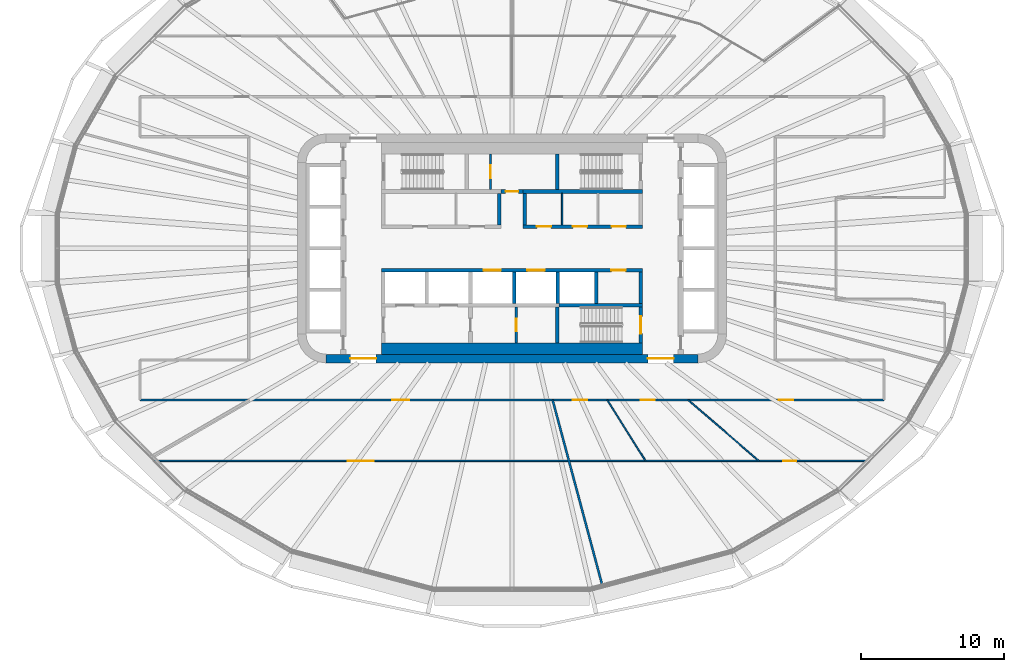
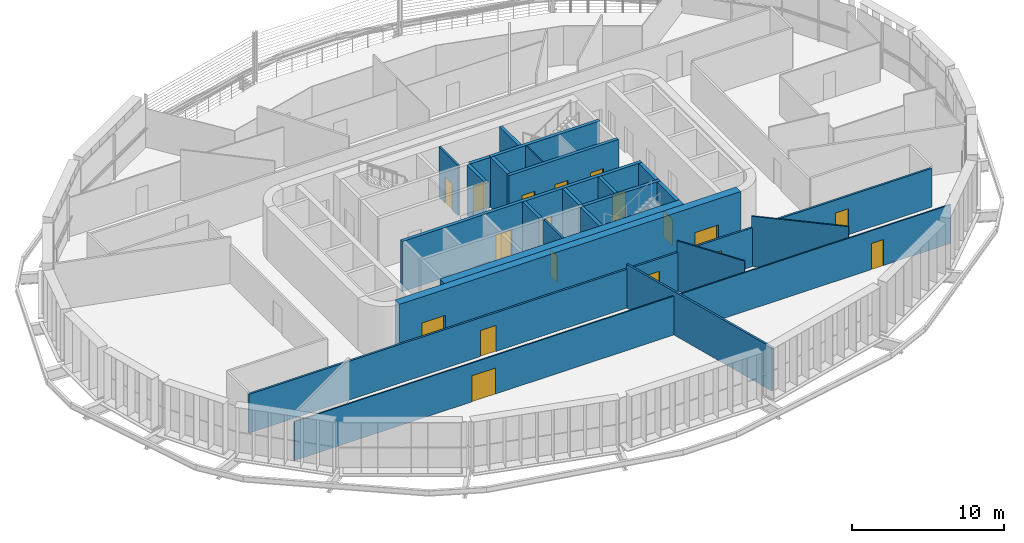
# One storey, part 14 of 24: 24 walls, 18 doors, 18 openings.
"""IFC4 building model written with IfcOpenShell, lengths in metres."""

from ifc_helpers import new_model, si_unit, direction, frame, frame_2d, origin, place, context, subcontext, project, spatial, rectangle, extrude, material, layer, layer_set, type_object, element, fill, save


model = new_model("IFC4")

# Units and contexts
model_context = context("Model", 3, precision=1e-05, world=origin(), true_north=direction((0.0, 1.0)))
body_context = subcontext(model_context, "Body", "Model", "MODEL_VIEW")
ifc_project = project(units=[si_unit("LENGTHUNIT", "METRE"), si_unit("AREAUNIT", "SQUARE_METRE"), si_unit("VOLUMEUNIT", "CUBIC_METRE"), si_unit("PLANEANGLEUNIT", "RADIAN"), si_unit("MASSUNIT", "GRAM", prefix="KILO")], contexts=[model_context])

# Site, building, storey
site_placement = place(None, origin())
site = spatial("IfcSite", under=ifc_project, at=site_placement, CompositionType="ELEMENT")
building_placement = place(site_placement, origin())
building = spatial("IfcBuilding", under=site, at=building_placement, Name="Sahrelin Media Tower", CompositionType="ELEMENT")
storey_placement = place(building_placement, frame((0.0, 0.0, 118.800048828125)))
storey = spatial("IfcBuildingStorey", under=building, at=storey_placement, Name="L23", CompositionType="ELEMENT", Elevation=118.800048828125)

# Wall, openings, doors
ifc_material_1 = material(Name="Concrete C60/75", Category="concrete")
ifc_layer_1 = layer(ifc_material_1, 0.60009765625)
ifc_layer_set_1 = layer_set([ifc_layer_1], Name="Core wall 600")
wall_type_1 = type_object("IfcWallType", Name="Core wall 600", PredefinedType="SHEAR", material=ifc_layer_set_1)
wall_1_placement = place(storey_placement, frame((-13.0, -7.699951171875, 0.0), z_axis=(0.0, 0.0, 1.0), x_axis=(1.0, 0.0, 0.0)))
wall_1 = element("IfcWall", 1, at=wall_1_placement, inside=storey, type_object=wall_type_1, Name="Core wall S L23", PredefinedType="SHEAR", context=body_context, shape_type="SweptSolid", body=[
    extrude(rectangle(XDim=26.0, YDim=0.60009765625, at=frame_2d((13.0, 0.0))), origin(), (0.0, 0.0, 1.0), 4.199951171875),
])
opening_1_placement = place(wall_1_placement, frame((1.699951171875, 0.0, 0.0)))
opening_1 = element("IfcOpeningElement", 2, at=opening_1_placement, cuts=wall_1, Name="Opening L23-D21", PredefinedType="OPENING", context=body_context, shape_type="SweptSolid", body=[
    extrude(rectangle(XDim=1.800048828125, YDim=2.10009765625, at=frame_2d((0.89990234375, 1.050048828125))), frame((0.0, 0.300048828125, 0.0), z_axis=(0.0, -1.0, 0.0), x_axis=(1.0, 0.0, 0.0)), (0.0, 0.0, 1.0), 0.60009765625),
])
opening_2_placement = place(wall_1_placement, frame((22.5, 0.0, 0.0)))
opening_2 = element("IfcOpeningElement", 3, at=opening_2_placement, cuts=wall_1, Name="Opening L23-D22", PredefinedType="OPENING", context=body_context, shape_type="SweptSolid", body=[
    extrude(rectangle(XDim=1.800048828125, YDim=2.10009765625, at=frame_2d((0.89990234375, 1.050048828125))), frame((0.0, 0.300048828125, 0.0), z_axis=(0.0, -1.0, 0.0), x_axis=(1.0, 0.0, 0.0)), (0.0, 0.0, 1.0), 0.60009765625),
])
ifc_material_2 = material(Name="Steel fire door leaf", Category="steel")
door_type_1 = type_object("IfcDoorType", Name="Lobby double door 1800 x 2100 EI 60", OperationType="DOUBLE_DOOR_SINGLE_SWING", PredefinedType="DOOR", material=ifc_material_2)
door_1_placement = place(opening_1_placement, origin())
door_1 = element("IfcDoor", 4, at=door_1_placement, inside=storey, type_object=door_type_1, Name="Lobby door", OperationType="DOUBLE_DOOR_SINGLE_SWING", OverallHeight=2.10009765625, OverallWidth=1.800048828125, PredefinedType="DOOR", context=body_context, shape_type="SweptSolid", body=[
    extrude(rectangle(XDim=1.800048828125, YDim=2.10009765625, at=frame_2d((0.89990234375, 1.050048828125))), frame((0.0, 0.02490234375, 0.0), z_axis=(0.0, -1.0, 0.0), x_axis=(1.0, 0.0, 0.0)), (0.0, 0.0, 1.0), 0.050048828125),
])
fill(opening_1, door_1)
door_2_placement = place(opening_2_placement, origin())
door_2 = element("IfcDoor", 5, at=door_2_placement, inside=storey, type_object=door_type_1, Name="Lobby door", OperationType="DOUBLE_DOOR_SINGLE_SWING", OverallHeight=2.10009765625, OverallWidth=1.800048828125, PredefinedType="DOOR", context=body_context, shape_type="SweptSolid", body=[
    extrude(rectangle(XDim=1.800048828125, YDim=2.10009765625, at=frame_2d((0.89990234375, 1.050048828125))), frame((0.0, 0.02490234375, 0.0), z_axis=(0.0, -1.0, 0.0), x_axis=(1.0, 0.0, 0.0)), (0.0, 0.0, 1.0), 0.050048828125),
])
fill(opening_2, door_2)

# Wall, opening, door
ifc_material_3 = material(Name="Fire-rated gypsum board partition")
ifc_layer_2 = layer(ifc_material_3, 0.25)
ifc_layer_set_2 = layer_set([ifc_layer_2], Name="Fire-rated lobby wall 250")
wall_type_2 = type_object("IfcWallType", Name="Fire-rated lobby wall 250", PredefinedType="PARTITIONING", material=ifc_layer_set_2)
wall_2_placement = place(storey_placement, frame((-0.77490234375, 3.97509765625, 0.0), z_axis=(0.0, 0.0, 1.0), x_axis=(1.0, 0.0, 0.0)))
wall_2 = element("IfcWall", 6, at=wall_2_placement, inside=storey, type_object=wall_type_2, Name="Core lobby wall", PredefinedType="PARTITIONING", context=body_context, shape_type="SweptSolid", body=[
    extrude(rectangle(XDim=1.5498046875, YDim=0.25, at=frame_2d((0.77490234375, 0.0))), origin(), (0.0, 0.0, 1.0), 4.050048828125),
])
opening_3_placement = place(wall_2_placement, frame((0.324951171875, 0.0, 0.0)))
opening_3 = element("IfcOpeningElement", 7, at=opening_3_placement, cuts=wall_2, Name="Opening L23-D06", PredefinedType="OPENING", context=body_context, shape_type="SweptSolid", body=[
    extrude(rectangle(XDim=0.89990234375, YDim=2.10009765625, at=frame_2d((0.449951171875, 1.050048828125))), frame((0.0, 0.125, 0.0), z_axis=(0.0, -1.0, 0.0), x_axis=(1.0, 0.0, 0.0)), (0.0, 0.0, 1.0), 0.25),
])
door_type_2 = type_object("IfcDoorType", Name="Riser door 900 x 2100 EI 120", OperationType="NOTDEFINED", PredefinedType="DOOR", material=ifc_material_2)
door_3_placement = place(opening_3_placement, origin())
door_3 = element("IfcDoor", 8, at=door_3_placement, inside=storey, type_object=door_type_2, Name="Core room door", OperationType="SINGLE_SWING_LEFT", OverallHeight=2.10009765625, OverallWidth=0.89990234375, PredefinedType="DOOR", context=body_context, shape_type="SweptSolid", body=[
    extrude(rectangle(XDim=0.89990234375, YDim=2.10009765625, at=frame_2d((0.449951171875, 1.050048828125))), frame((0.0, 0.02490234375, 0.0), z_axis=(0.0, -1.0, 0.0), x_axis=(1.0, 0.0, 0.0)), (0.0, 0.0, 1.0), 0.050048828125),
])
fill(opening_3, door_3)

# Wall, openings, doors
wall_3_placement = place(storey_placement, frame((0.77490234375, 1.52490234375, 0.0), z_axis=(0.0, 0.0, 1.0), x_axis=(1.0, 0.0, 0.0)))
wall_3 = element("IfcWall", 9, at=wall_3_placement, inside=storey, type_object=wall_type_2, Name="Core lobby wall", PredefinedType="PARTITIONING", context=body_context, shape_type="SweptSolid", body=[
    extrude(rectangle(XDim=8.35009765625, YDim=0.25, at=frame_2d((4.175048828125, 0.0))), origin(), (0.0, 0.0, 1.0), 4.050048828125),
])
opening_4_placement = place(wall_3_placement, frame((0.96240234375, 0.0, 0.0)))
opening_4 = element("IfcOpeningElement", 10, at=opening_4_placement, cuts=wall_3, Name="Opening L23-D11", PredefinedType="OPENING", context=body_context, shape_type="SweptSolid", body=[
    extrude(rectangle(XDim=1.0, YDim=2.10009765625, at=frame_2d((0.5, 1.050048828125))), frame((0.0, 0.125, 0.0), z_axis=(0.0, -1.0, 0.0), x_axis=(1.0, 0.0, 0.0)), (0.0, 0.0, 1.0), 0.25),
])
opening_5_placement = place(wall_3_placement, frame((3.47509765625, 0.0, 0.0)))
opening_5 = element("IfcOpeningElement", 11, at=opening_5_placement, cuts=wall_3, Name="Opening L23-D12", PredefinedType="OPENING", context=body_context, shape_type="SweptSolid", body=[
    extrude(rectangle(XDim=1.0, YDim=2.10009765625, at=frame_2d((0.5, 1.050048828125))), frame((0.0, 0.125, 0.0), z_axis=(0.0, -1.0, 0.0), x_axis=(1.0, 0.0, 0.0)), (0.0, 0.0, 1.0), 0.25),
])
opening_6_placement = place(wall_3_placement, frame((6.1875, 0.0, 0.0)))
opening_6 = element("IfcOpeningElement", 12, at=opening_6_placement, cuts=wall_3, Name="Opening L23-D13", PredefinedType="OPENING", context=body_context, shape_type="SweptSolid", body=[
    extrude(rectangle(XDim=1.0, YDim=2.10009765625, at=frame_2d((0.5, 1.050048828125))), frame((0.0, 0.125, 0.0), z_axis=(0.0, -1.0, 0.0), x_axis=(1.0, 0.0, 0.0)), (0.0, 0.0, 1.0), 0.25),
])
door_type_3 = type_object("IfcDoorType", Name="Fire door 1000 x 2100 EI 60", OperationType="NOTDEFINED", PredefinedType="DOOR", material=ifc_material_2)
door_4_placement = place(opening_4_placement, origin())
door_4 = element("IfcDoor", 13, at=door_4_placement, inside=storey, type_object=door_type_3, Name="Core room door", OperationType="SINGLE_SWING_LEFT", OverallHeight=2.10009765625, OverallWidth=1.0, PredefinedType="DOOR", context=body_context, shape_type="SweptSolid", body=[
    extrude(rectangle(XDim=1.0, YDim=2.10009765625, at=frame_2d((0.5, 1.050048828125))), frame((0.0, 0.02490234375, 0.0), z_axis=(0.0, -1.0, 0.0), x_axis=(1.0, 0.0, 0.0)), (0.0, 0.0, 1.0), 0.050048828125),
])
fill(opening_4, door_4)
door_5_placement = place(opening_5_placement, origin())
door_5 = element("IfcDoor", 14, at=door_5_placement, inside=storey, type_object=door_type_3, Name="Core room door", OperationType="SINGLE_SWING_LEFT", OverallHeight=2.10009765625, OverallWidth=1.0, PredefinedType="DOOR", context=body_context, shape_type="SweptSolid", body=[
    extrude(rectangle(XDim=1.0, YDim=2.10009765625, at=frame_2d((0.5, 1.050048828125))), frame((0.0, 0.02490234375, 0.0), z_axis=(0.0, -1.0, 0.0), x_axis=(1.0, 0.0, 0.0)), (0.0, 0.0, 1.0), 0.050048828125),
])
fill(opening_5, door_5)
door_6_placement = place(opening_6_placement, origin())
door_6 = element("IfcDoor", 15, at=door_6_placement, inside=storey, type_object=door_type_3, Name="Core room door", OperationType="SINGLE_SWING_LEFT", OverallHeight=2.10009765625, OverallWidth=1.0, PredefinedType="DOOR", context=body_context, shape_type="SweptSolid", body=[
    extrude(rectangle(XDim=1.0, YDim=2.10009765625, at=frame_2d((0.5, 1.050048828125))), frame((0.0, 0.02490234375, 0.0), z_axis=(0.0, -1.0, 0.0), x_axis=(1.0, 0.0, 0.0)), (0.0, 0.0, 1.0), 0.050048828125),
])
fill(opening_6, door_6)

# Walls
for number, where, z_axis, x_axis, name in (
    (16, (-0.89990234375, 1.64990234375, 0.0), (0.0, 0.0, 1.0), (0.0, 1.0, 0.0), "Core lobby wall"),
    (17, (0.89990234375, 1.64990234375, 0.0), (0.0, 0.0, 1.0), (0.0, 1.0, 0.0), "Core lobby wall"),
):
    element("IfcWall", number, at=place(storey_placement, frame(where, z_axis=z_axis, x_axis=x_axis)), inside=storey, type_object=wall_type_2, Name=name, PredefinedType="PARTITIONING", context=body_context, shape_type="SweptSolid", body=[
        extrude(rectangle(XDim=2.2001953125, YDim=0.25, at=frame_2d((1.10009765625, 0.0))), origin(), (0.0, 0.0, 1.0), 4.050048828125),
    ])
ifc_layer_3 = layer(ifc_material_3, 0.10009765625)
ifc_layer_set_3 = layer_set([ifc_layer_3], Name="Fire-rated partition 100")
wall_type_3 = type_object("IfcWallType", Name="Fire-rated partition 100", PredefinedType="PARTITIONING", material=ifc_layer_set_3)
wall_4_placement = place(storey_placement, frame((3.5, 1.64990234375, 0.0), z_axis=(0.0, 0.0, 1.0), x_axis=(0.0, 1.0, 0.0)))
element("IfcWall", 18, at=wall_4_placement, inside=storey, type_object=wall_type_3, Name="Core room partition", PredefinedType="PARTITIONING", context=body_context, shape_type="SweptSolid", body=[
    extrude(rectangle(XDim=2.2001953125, YDim=0.10009765625, at=frame_2d((1.10009765625, 0.0))), origin(), (0.0, 0.0, 1.0), 4.050048828125),
])

# Wall, opening, door
ifc_layer_4 = layer(ifc_material_3, 0.14990234375)
ifc_layer_set_4 = layer_set([ifc_layer_4], Name="Fire-rated partition 150")
wall_type_4 = type_object("IfcWallType", Name="Fire-rated partition 150", PredefinedType="PARTITIONING", material=ifc_layer_set_4)
wall_5_placement = place(storey_placement, frame((-1.5, 4.10009765625, 0.0), z_axis=(0.0, 0.0, 1.0), x_axis=(0.0, 1.0, 0.0)))
wall_5 = element("IfcWall", 19, at=wall_5_placement, inside=storey, type_object=wall_type_4, Name="Core room fire partition", PredefinedType="PARTITIONING", context=body_context, shape_type="SweptSolid", body=[
    extrude(rectangle(XDim=2.5, YDim=0.14990234375, at=frame_2d((1.25, 0.0))), origin(), (0.0, 0.0, 1.0), 4.050048828125),
])
opening_7_placement = place(wall_5_placement, frame((0.800048828125, 0.0, 0.0)))
opening_7 = element("IfcOpeningElement", 20, at=opening_7_placement, cuts=wall_5, Name="Opening L23-D07", PredefinedType="OPENING", context=body_context, shape_type="SweptSolid", body=[
    extrude(rectangle(XDim=0.89990234375, YDim=2.10009765625, at=frame_2d((0.449951171875, 1.050048828125))), frame((0.0, 0.074951171875, 0.0), z_axis=(0.0, -1.0, 0.0), x_axis=(1.0, 0.0, 0.0)), (0.0, 0.0, 1.0), 0.14990234375),
])
door_type_4 = type_object("IfcDoorType", Name="Fire door 900 x 2100 EI 60", OperationType="NOTDEFINED", PredefinedType="DOOR", material=ifc_material_2)
door_7_placement = place(opening_7_placement, origin())
door_7 = element("IfcDoor", 21, at=door_7_placement, inside=storey, type_object=door_type_4, Name="Core room door", OperationType="SINGLE_SWING_LEFT", OverallHeight=2.10009765625, OverallWidth=0.89990234375, PredefinedType="DOOR", context=body_context, shape_type="SweptSolid", body=[
    extrude(rectangle(XDim=0.89990234375, YDim=2.10009765625, at=frame_2d((0.449951171875, 1.050048828125))), frame((0.0, 0.02490234375, 0.0), z_axis=(0.0, -1.0, 0.0), x_axis=(1.0, 0.0, 0.0)), (0.0, 0.0, 1.0), 0.050048828125),
])
fill(opening_7, door_7)

wall_6_placement = place(storey_placement, frame((0.300048828125, -6.60009765625, 0.0), z_axis=(0.0, 0.0, 1.0), x_axis=(0.0, 1.0, 0.0)))
wall_6 = element("IfcWall", 22, at=wall_6_placement, inside=storey, type_object=wall_type_4, Name="Core room fire partition", PredefinedType="PARTITIONING", context=body_context, shape_type="SweptSolid", body=[
    extrude(rectangle(XDim=2.5, YDim=0.14990234375, at=frame_2d((1.25, 0.0))), origin(), (0.0, 0.0, 1.0), 4.050048828125),
])
opening_8_placement = place(wall_6_placement, frame((0.800048828125, 0.0, 0.0)))
opening_8 = element("IfcOpeningElement", 23, at=opening_8_placement, cuts=wall_6, Name="Opening L23-D08", PredefinedType="OPENING", context=body_context, shape_type="SweptSolid", body=[
    extrude(rectangle(XDim=0.89990234375, YDim=2.10009765625, at=frame_2d((0.449951171875, 1.050048828125))), frame((0.0, 0.074951171875, 0.0), z_axis=(0.0, -1.0, 0.0), x_axis=(1.0, 0.0, 0.0)), (0.0, 0.0, 1.0), 0.14990234375),
])
door_8_placement = place(opening_8_placement, origin())
door_8 = element("IfcDoor", 24, at=door_8_placement, inside=storey, type_object=door_type_4, Name="Core room door", OperationType="SINGLE_SWING_RIGHT", OverallHeight=2.10009765625, OverallWidth=0.89990234375, PredefinedType="DOOR", context=body_context, shape_type="SweptSolid", body=[
    extrude(rectangle(XDim=0.89990234375, YDim=2.10009765625, at=frame_2d((0.449951171875, 1.050048828125))), frame((0.0, 0.02490234375, 0.0), z_axis=(0.0, -1.0, 0.0), x_axis=(1.0, 0.0, 0.0)), (0.0, 0.0, 1.0), 0.050048828125),
])
fill(opening_8, door_8)

# Wall
wall_7_placement = place(storey_placement, frame((2.840087890625, -10.60009765625, 0.0), z_axis=(0.0, 0.0, 1.0), x_axis=(0.258835018107, -0.965921546194, 0.0)))
element("IfcWall", 25, at=wall_7_placement, inside=storey, type_object=wall_type_4, Name="Wall", PredefinedType="PARTITIONING", context=body_context, shape_type="SweptSolid", body=[
    extrude(rectangle(XDim=13.568359375, YDim=0.14990234375, at=frame_2d((6.7841796875, 0.0))), origin(), (0.0, 0.0, 1.0), 3.501708984375),
])

# Wall, openings, doors
wall_8_placement = place(storey_placement, frame((-26.0, -10.60009765625, 0.0), z_axis=(0.0, 0.0, 1.0), x_axis=(1.0, 0.0, 0.0)))
wall_8 = element("IfcWall", 26, at=wall_8_placement, inside=storey, type_object=wall_type_4, Name="Wall", PredefinedType="PARTITIONING", context=body_context, shape_type="SweptSolid", body=[
    extrude(rectangle(XDim=52.0, YDim=0.14990234375, at=frame_2d((26.0, 0.0))), origin(), (0.0, 0.0, 1.0), 3.126953125),
])
opening_9_placement = place(wall_8_placement, frame((17.6201171875, 0.0, 0.0)))
opening_9 = element("IfcOpeningElement", 27, at=opening_9_placement, cuts=wall_8, Name="Opening L23-D23", PredefinedType="OPENING", context=body_context, shape_type="SweptSolid", body=[
    extrude(rectangle(XDim=1.199951171875, YDim=2.10009765625, at=frame_2d((0.60009765625, 1.050048828125))), frame((0.0, 0.074951171875, 0.0), z_axis=(0.0, -1.0, 0.0), x_axis=(1.0, 0.0, 0.0)), (0.0, 0.0, 1.0), 0.14990234375),
])
opening_10_placement = place(wall_8_placement, frame((30.25, 0.0, 0.0)))
opening_10 = element("IfcOpeningElement", 28, at=opening_10_placement, cuts=wall_8, Name="Opening L23-D25", PredefinedType="OPENING", context=body_context, shape_type="SweptSolid", body=[
    extrude(rectangle(XDim=1.0, YDim=2.10009765625, at=frame_2d((0.5, 1.050048828125))), frame((0.0, 0.074951171875, 0.0), z_axis=(0.0, -1.0, 0.0), x_axis=(1.0, 0.0, 0.0)), (0.0, 0.0, 1.0), 0.14990234375),
])
opening_11_placement = place(wall_8_placement, frame((34.988525390625, 0.0, 0.0)))
opening_11 = element("IfcOpeningElement", 29, at=opening_11_placement, cuts=wall_8, Name="Opening L23-D26", PredefinedType="OPENING", context=body_context, shape_type="SweptSolid", body=[
    extrude(rectangle(XDim=1.0, YDim=2.10009765625, at=frame_2d((0.5, 1.050048828125))), frame((0.0, 0.074951171875, 0.0), z_axis=(0.0, -1.0, 0.0), x_axis=(1.0, 0.0, 0.0)), (0.0, 0.0, 1.0), 0.14990234375),
])
opening_12_placement = place(wall_8_placement, frame((44.658447265625, 0.0, 0.0)))
opening_12 = element("IfcOpeningElement", 30, at=opening_12_placement, cuts=wall_8, Name="Opening L23-D27", PredefinedType="OPENING", context=body_context, shape_type="SweptSolid", body=[
    extrude(rectangle(XDim=1.0, YDim=2.10009765625, at=frame_2d((0.5, 1.050048828125))), frame((0.0, 0.074951171875, 0.0), z_axis=(0.0, -1.0, 0.0), x_axis=(1.0, 0.0, 0.0)), (0.0, 0.0, 1.0), 0.14990234375),
])
door_9_placement = place(opening_10_placement, origin())
door_9 = element("IfcDoor", 31, at=door_9_placement, inside=storey, type_object=door_type_3, Name="Fire door", OperationType="SINGLE_SWING_RIGHT", OverallHeight=2.10009765625, OverallWidth=1.0, PredefinedType="DOOR", context=body_context, shape_type="SweptSolid", body=[
    extrude(rectangle(XDim=1.0, YDim=2.10009765625, at=frame_2d((0.5, 1.050048828125))), frame((0.0, 0.02490234375, 0.0), z_axis=(0.0, -1.0, 0.0), x_axis=(1.0, 0.0, 0.0)), (0.0, 0.0, 1.0), 0.050048828125),
])
fill(opening_10, door_9)
door_10_placement = place(opening_11_placement, origin())
door_10 = element("IfcDoor", 32, at=door_10_placement, inside=storey, type_object=door_type_3, Name="Fire door", OperationType="SINGLE_SWING_LEFT", OverallHeight=2.10009765625, OverallWidth=1.0, PredefinedType="DOOR", context=body_context, shape_type="SweptSolid", body=[
    extrude(rectangle(XDim=1.0, YDim=2.10009765625, at=frame_2d((0.5, 1.050048828125))), frame((0.0, 0.02490234375, 0.0), z_axis=(0.0, -1.0, 0.0), x_axis=(1.0, 0.0, 0.0)), (0.0, 0.0, 1.0), 0.050048828125),
])
fill(opening_11, door_10)
door_11_placement = place(opening_12_placement, origin())
door_11 = element("IfcDoor", 33, at=door_11_placement, inside=storey, type_object=door_type_3, Name="Fire door", OperationType="SINGLE_SWING_LEFT", OverallHeight=2.10009765625, OverallWidth=1.0, PredefinedType="DOOR", context=body_context, shape_type="SweptSolid", body=[
    extrude(rectangle(XDim=1.0, YDim=2.10009765625, at=frame_2d((0.5, 1.050048828125))), frame((0.0, 0.02490234375, 0.0), z_axis=(0.0, -1.0, 0.0), x_axis=(1.0, 0.0, 0.0)), (0.0, 0.0, 1.0), 0.050048828125),
])
fill(opening_12, door_11)
door_type_5 = type_object("IfcDoorType", Name="Service double door 1200 x 2100 EI 60", OperationType="DOUBLE_DOOR_SINGLE_SWING", PredefinedType="DOOR", material=ifc_material_2)
door_12_placement = place(opening_9_placement, origin())
door_12 = element("IfcDoor", 34, at=door_12_placement, inside=storey, type_object=door_type_5, Name="Service double door", OperationType="DOUBLE_DOOR_SINGLE_SWING", OverallHeight=2.10009765625, OverallWidth=1.199951171875, PredefinedType="DOOR", context=body_context, shape_type="SweptSolid", body=[
    extrude(rectangle(XDim=1.199951171875, YDim=2.10009765625, at=frame_2d((0.60009765625, 1.050048828125))), frame((0.0, 0.02490234375, 0.0), z_axis=(0.0, -1.0, 0.0), x_axis=(1.0, 0.0, 0.0)), (0.0, 0.0, 1.0), 0.050048828125),
])
fill(opening_9, door_12)

ifc_layer_5 = layer(ifc_material_1, 0.25)
ifc_layer_set_5 = layer_set([ifc_layer_5], Name="Lift shaft wall 250")
wall_type_5 = type_object("IfcWallType", Name="Lift shaft wall 250", PredefinedType="SOLIDWALL", material=ifc_layer_set_5)
wall_9_placement = place(storey_placement, frame((-9.125, -1.52490234375, 0.0), z_axis=(0.0, 0.0, 1.0), x_axis=(1.0, 0.0, 0.0)))
wall_9 = element("IfcWall", 35, at=wall_9_placement, inside=storey, type_object=wall_type_5, Name="Lift shaft wall", PredefinedType="SOLIDWALL", context=body_context, shape_type="SweptSolid", body=[
    extrude(rectangle(XDim=18.25, YDim=0.25, at=frame_2d((9.125, 0.0))), origin(), (0.0, 0.0, 1.0), 4.050048828125),
])
opening_13_placement = place(wall_9_placement, frame((7.14990234375, 0.0, 0.0)))
opening_13 = element("IfcOpeningElement", 36, at=opening_13_placement, cuts=wall_9, Name="Opening L23-LD-SV1", PredefinedType="OPENING", context=body_context, shape_type="SweptSolid", body=[
    extrude(rectangle(XDim=1.199951171875, YDim=2.10009765625, at=frame_2d((0.60009765625, 1.050048828125))), frame((0.0, 0.125, 0.0), z_axis=(0.0, -1.0, 0.0), x_axis=(1.0, 0.0, 0.0)), (0.0, 0.0, 1.0), 0.25),
])
opening_14_placement = place(wall_9_placement, frame((10.199951171875, 0.0, 0.0)))
opening_14 = element("IfcOpeningElement", 37, at=opening_14_placement, cuts=wall_9, Name="Opening L23-LD-SV2", PredefinedType="OPENING", context=body_context, shape_type="SweptSolid", body=[
    extrude(rectangle(XDim=1.199951171875, YDim=2.10009765625, at=frame_2d((0.60009765625, 1.050048828125))), frame((0.0, 0.125, 0.0), z_axis=(0.0, -1.0, 0.0), x_axis=(1.0, 0.0, 0.0)), (0.0, 0.0, 1.0), 0.25),
])
opening_15_placement = place(wall_9_placement, frame((16.074951171875, 0.0, 0.0)))
opening_15 = element("IfcOpeningElement", 38, at=opening_15_placement, cuts=wall_9, Name="Opening L23-D14", PredefinedType="OPENING", context=body_context, shape_type="SweptSolid", body=[
    extrude(rectangle(XDim=1.0, YDim=2.10009765625, at=frame_2d((0.5, 1.050048828125))), frame((0.0, 0.125, 0.0), z_axis=(0.0, -1.0, 0.0), x_axis=(1.0, 0.0, 0.0)), (0.0, 0.0, 1.0), 0.25),
])
door_13_placement = place(opening_15_placement, origin())
door_13 = element("IfcDoor", 39, at=door_13_placement, inside=storey, type_object=door_type_3, Name="Core room door", OperationType="SINGLE_SWING_RIGHT", OverallHeight=2.10009765625, OverallWidth=1.0, PredefinedType="DOOR", context=body_context, shape_type="SweptSolid", body=[
    extrude(rectangle(XDim=1.0, YDim=2.10009765625, at=frame_2d((0.5, 1.050048828125))), frame((0.0, 0.02490234375, 0.0), z_axis=(0.0, -1.0, 0.0), x_axis=(1.0, 0.0, 0.0)), (0.0, 0.0, 1.0), 0.050048828125),
])
fill(opening_15, door_13)
ifc_material_4 = material(Name="Stainless steel", Category="steel")
door_type_6 = type_object("IfcDoorType", Name="Lift landing door 1200 x 2100 EI 120", OperationType="DOUBLE_DOOR_SLIDING", PredefinedType="DOOR", material=ifc_material_4)
door_14_placement = place(opening_13_placement, origin())
door_14 = element("IfcDoor", 40, at=door_14_placement, inside=storey, type_object=door_type_6, Name="Lift landing door SV1", OperationType="DOUBLE_DOOR_SLIDING", OverallHeight=2.10009765625, OverallWidth=1.199951171875, PredefinedType="DOOR", context=body_context, shape_type="SweptSolid", body=[
    extrude(rectangle(XDim=1.199951171875, YDim=2.10009765625, at=frame_2d((0.60009765625, 1.050048828125))), frame((0.0, 0.02490234375, 0.0), z_axis=(0.0, -1.0, 0.0), x_axis=(1.0, 0.0, 0.0)), (0.0, 0.0, 1.0), 0.050048828125),
])
fill(opening_13, door_14)
door_15_placement = place(opening_14_placement, origin())
door_15 = element("IfcDoor", 41, at=door_15_placement, inside=storey, type_object=door_type_6, Name="Lift landing door SV2", OperationType="DOUBLE_DOOR_SLIDING", OverallHeight=2.10009765625, OverallWidth=1.199951171875, PredefinedType="DOOR", context=body_context, shape_type="SweptSolid", body=[
    extrude(rectangle(XDim=1.199951171875, YDim=2.10009765625, at=frame_2d((0.60009765625, 1.050048828125))), frame((0.0, 0.02490234375, 0.0), z_axis=(0.0, -1.0, 0.0), x_axis=(1.0, 0.0, 0.0)), (0.0, 0.0, 1.0), 0.050048828125),
])
fill(opening_14, door_15)

# Walls
wall_10_placement = place(storey_placement, frame((3.27490234375, -3.97509765625, 0.0), z_axis=(0.0, 0.0, 1.0), x_axis=(1.0, 0.0, 0.0)))
element("IfcWall", 42, at=wall_10_placement, inside=storey, type_object=wall_type_5, Name="Lift shaft wall", PredefinedType="SOLIDWALL", context=body_context, shape_type="SweptSolid", body=[
    extrude(rectangle(XDim=5.85009765625, YDim=0.25, at=frame_2d((2.925048828125, 0.0))), origin(), (0.0, 0.0, 1.0), 4.050048828125),
])
for number, where, z_axis, x_axis, name in (
    (43, (0.14990234375, -3.85009765625, 0.0), (0.0, 0.0, 1.0), (0.0, 1.0, 0.0), "Lift shaft wall"),
    (44, (3.199951171875, -3.85009765625, 0.0), (0.0, 0.0, 1.0), (0.0, 1.0, 0.0), "Lift shaft wall"),
    (45, (5.89990234375, -3.85009765625, 0.0), (0.0, 0.0, 1.0), (0.0, 1.0, 0.0), "Lift shaft wall"),
    (46, (9.0, -3.85009765625, 0.0), (0.0, 0.0, 1.0), (0.0, 1.0, 0.0), "Lift shaft wall"),
):
    element("IfcWall", number, at=place(storey_placement, frame(where, z_axis=z_axis, x_axis=x_axis)), inside=storey, type_object=wall_type_5, Name=name, PredefinedType="SOLIDWALL", context=body_context, shape_type="SweptSolid", body=[
        extrude(rectangle(XDim=2.2001953125, YDim=0.25, at=frame_2d((1.10009765625, 0.0))), origin(), (0.0, 0.0, 1.0), 4.050048828125),
    ])
ifc_material_5 = material(Name="Gypsum board partition")
ifc_layer_6 = layer(ifc_material_5, 0.10009765625)
ifc_layer_set_6 = layer_set([ifc_layer_6], Name="Partition 100")
wall_type_6 = type_object("IfcWallType", Name="Partition 100", PredefinedType="PARTITIONING", material=ifc_layer_set_6)
wall_11_placement = place(storey_placement, frame((6.659912109375, -10.60009765625, 0.0), z_axis=(0.0, 0.0, 1.0), x_axis=(0.532130705972, -0.846662218221, 0.0)))
element("IfcWall", 47, at=wall_11_placement, inside=storey, type_object=wall_type_6, Name="Wall", PredefinedType="PARTITIONING", context=body_context, shape_type="SweptSolid", body=[
    extrude(rectangle(XDim=5.019775390625, YDim=0.10009765625, at=frame_2d((2.509765625, 0.0))), origin(), (0.0, 0.0, 1.0), 4.050048828125),
])
wall_12_placement = place(storey_placement, frame((12.31689453125, -10.60009765625, 0.0), z_axis=(0.0, 0.0, 1.0), x_axis=(0.758012166178, -0.652240412675, 0.0)))
element("IfcWall", 48, at=wall_12_placement, inside=storey, type_object=wall_type_6, Name="Wall", PredefinedType="PARTITIONING", context=body_context, shape_type="SweptSolid", body=[
    extrude(rectangle(XDim=6.51611328125, YDim=0.10009765625, at=frame_2d((3.258056640625, 0.0))), origin(), (0.0, 0.0, 1.0), 4.050048828125),
])

# Wall, openings, doors
wall_13_placement = place(storey_placement, frame((-25.012939453125, -14.85009765625, 0.0), z_axis=(0.0, 0.0, 1.0), x_axis=(1.0, 0.0, 0.0)))
wall_13 = element("IfcWall", 49, at=wall_13_placement, inside=storey, type_object=wall_type_6, Name="Wall", PredefinedType="PARTITIONING", context=body_context, shape_type="SweptSolid", body=[
    extrude(rectangle(XDim=50.02587890625, YDim=0.10009765625, at=frame_2d((25.012939453125, 0.0))), origin(), (0.0, 0.0, 1.0), 3.126953125),
])
opening_16_placement = place(wall_13_placement, frame((13.5458984375, 0.0, 0.0)))
opening_16 = element("IfcOpeningElement", 50, at=opening_16_placement, cuts=wall_13, Name="Opening L23-D24", PredefinedType="OPENING", context=body_context, shape_type="SweptSolid", body=[
    extrude(rectangle(XDim=1.800048828125, YDim=2.10009765625, at=frame_2d((0.89990234375, 1.050048828125))), frame((0.0, 0.050048828125, 0.0), z_axis=(0.0, -1.0, 0.0), x_axis=(1.0, 0.0, 0.0)), (0.0, 0.0, 1.0), 0.10009765625),
])
opening_17_placement = place(wall_13_placement, frame((43.980224609375, 0.0, 0.0)))
opening_17 = element("IfcOpeningElement", 51, at=opening_17_placement, cuts=wall_13, Name="Opening L23-D28", PredefinedType="OPENING", context=body_context, shape_type="SweptSolid", body=[
    extrude(rectangle(XDim=0.89990234375, YDim=2.10009765625, at=frame_2d((0.449951171875, 1.050048828125))), frame((0.0, 0.050048828125, 0.0), z_axis=(0.0, -1.0, 0.0), x_axis=(1.0, 0.0, 0.0)), (0.0, 0.0, 1.0), 0.10009765625),
])
ifc_material_6 = material(Name="Timber door leaf", Category="wood")
door_type_7 = type_object("IfcDoorType", Name="Double door 1800 x 2100", OperationType="DOUBLE_DOOR_SINGLE_SWING", PredefinedType="DOOR", material=ifc_material_6)
door_16_placement = place(opening_16_placement, origin())
door_16 = element("IfcDoor", 52, at=door_16_placement, inside=storey, type_object=door_type_7, Name="Double door", OperationType="DOUBLE_DOOR_SINGLE_SWING", OverallHeight=2.10009765625, OverallWidth=1.800048828125, PredefinedType="DOOR", context=body_context, shape_type="SweptSolid", body=[
    extrude(rectangle(XDim=1.800048828125, YDim=2.10009765625, at=frame_2d((0.89990234375, 1.050048828125))), frame((0.0, 0.02490234375, 0.0), z_axis=(0.0, -1.0, 0.0), x_axis=(1.0, 0.0, 0.0)), (0.0, 0.0, 1.0), 0.050048828125),
])
fill(opening_16, door_16)
door_type_8 = type_object("IfcDoorType", Name="Single door 900 x 2100", OperationType="NOTDEFINED", PredefinedType="DOOR", material=ifc_material_6)
door_17_placement = place(opening_17_placement, origin())
door_17 = element("IfcDoor", 53, at=door_17_placement, inside=storey, type_object=door_type_8, Name="Single door", OperationType="SINGLE_SWING_LEFT", OverallHeight=2.10009765625, OverallWidth=0.89990234375, PredefinedType="DOOR", context=body_context, shape_type="SweptSolid", body=[
    extrude(rectangle(XDim=0.89990234375, YDim=2.10009765625, at=frame_2d((0.449951171875, 1.050048828125))), frame((0.0, 0.02490234375, 0.0), z_axis=(0.0, -1.0, 0.0), x_axis=(1.0, 0.0, 0.0)), (0.0, 0.0, 1.0), 0.050048828125),
])
fill(opening_17, door_17)

# Wall, opening, door
ifc_layer_7 = layer(ifc_material_1, 0.25)
ifc_layer_set_7 = layer_set([ifc_layer_7], Name="Stair enclosure wall 250")
wall_type_7 = type_object("IfcWallType", Name="Stair enclosure wall 250", PredefinedType="SOLIDWALL", material=ifc_layer_set_7)
wall_14_placement = place(storey_placement, frame((9.0, -6.60009765625, 0.0), z_axis=(0.0, 0.0, 1.0), x_axis=(0.0, 1.0, 0.0)))
wall_14 = element("IfcWall", 54, at=wall_14_placement, inside=storey, type_object=wall_type_7, Name="Stair enclosure wall", PredefinedType="SOLIDWALL", context=body_context, shape_type="SweptSolid", body=[
    extrude(rectangle(XDim=2.5, YDim=0.25, at=frame_2d((1.25, 0.0))), origin(), (0.0, 0.0, 1.0), 4.050048828125),
])
opening_18_placement = place(wall_14_placement, frame((0.64990234375, 0.0, 0.0)))
opening_18 = element("IfcOpeningElement", 55, at=opening_18_placement, cuts=wall_14, Name="Opening L23-D03", PredefinedType="OPENING", context=body_context, shape_type="SweptSolid", body=[
    extrude(rectangle(XDim=1.199951171875, YDim=2.10009765625, at=frame_2d((0.60009765625, 1.050048828125))), frame((0.0, 0.125, 0.0), z_axis=(0.0, -1.0, 0.0), x_axis=(1.0, 0.0, 0.0)), (0.0, 0.0, 1.0), 0.25),
])
door_type_9 = type_object("IfcDoorType", Name="Stair door 1200 x 2100 EI 120", OperationType="NOTDEFINED", PredefinedType="DOOR", material=ifc_material_2)
door_18_placement = place(opening_18_placement, origin())
door_18 = element("IfcDoor", 56, at=door_18_placement, inside=storey, type_object=door_type_9, Name="Stair door ST2", OperationType="SINGLE_SWING_LEFT", OverallHeight=2.10009765625, OverallWidth=1.199951171875, PredefinedType="DOOR", context=body_context, shape_type="SweptSolid", body=[
    extrude(rectangle(XDim=1.199951171875, YDim=2.10009765625, at=frame_2d((0.60009765625, 1.050048828125))), frame((0.0, 0.02490234375, 0.0), z_axis=(0.0, -1.0, 0.0), x_axis=(1.0, 0.0, 0.0)), (0.0, 0.0, 1.0), 0.050048828125),
])
fill(opening_18, door_18)

# Walls
for number, where, z_axis, x_axis, name in (
    (57, (3.14990234375, 4.10009765625, 0.0), (0.0, 0.0, 1.0), (0.0, 1.0, 0.0), "Stair enclosure wall"),
    (58, (3.14990234375, -6.60009765625, 0.0), (0.0, 0.0, 1.0), (0.0, 1.0, 0.0), "Stair enclosure wall"),
):
    element("IfcWall", number, at=place(storey_placement, frame(where, z_axis=z_axis, x_axis=x_axis)), inside=storey, type_object=wall_type_7, Name=name, PredefinedType="SOLIDWALL", context=body_context, shape_type="SweptSolid", body=[
        extrude(rectangle(XDim=2.5, YDim=0.25, at=frame_2d((1.25, 0.0))), origin(), (0.0, 0.0, 1.0), 4.050048828125),
    ])
wall_15_placement = place(storey_placement, frame((0.77490234375, 3.97509765625, 0.0), z_axis=(0.0, 0.0, 1.0), x_axis=(1.0, 0.0, 0.0)))
element("IfcWall", 59, at=wall_15_placement, inside=storey, type_object=wall_type_7, Name="Stair enclosure wall", PredefinedType="SOLIDWALL", context=body_context, shape_type="SweptSolid", body=[
    extrude(rectangle(XDim=8.35009765625, YDim=0.25, at=frame_2d((4.175048828125, 0.0))), origin(), (0.0, 0.0, 1.0), 4.050048828125),
])
ifc_layer_8 = layer(ifc_material_1, 0.800048828125)
ifc_layer_set_8 = layer_set([ifc_layer_8], Name="Stair enclosure wall 800")
wall_type_8 = type_object("IfcWallType", Name="Stair enclosure wall 800", PredefinedType="SOLIDWALL", material=ifc_layer_set_8)
wall_16_placement = place(storey_placement, frame((-9.125, -7.0, 0.0), z_axis=(0.0, 0.0, 1.0), x_axis=(1.0, 0.0, 0.0)))
element("IfcWall", 60, at=wall_16_placement, inside=storey, type_object=wall_type_8, Name="Stair enclosure wall", PredefinedType="SOLIDWALL", context=body_context, shape_type="SweptSolid", body=[
    extrude(rectangle(XDim=18.25, YDim=0.800048828125, at=frame_2d((9.125, 0.0))), origin(), (0.0, 0.0, 1.0), 4.050048828125),
])

save(model, "model.ifc")
